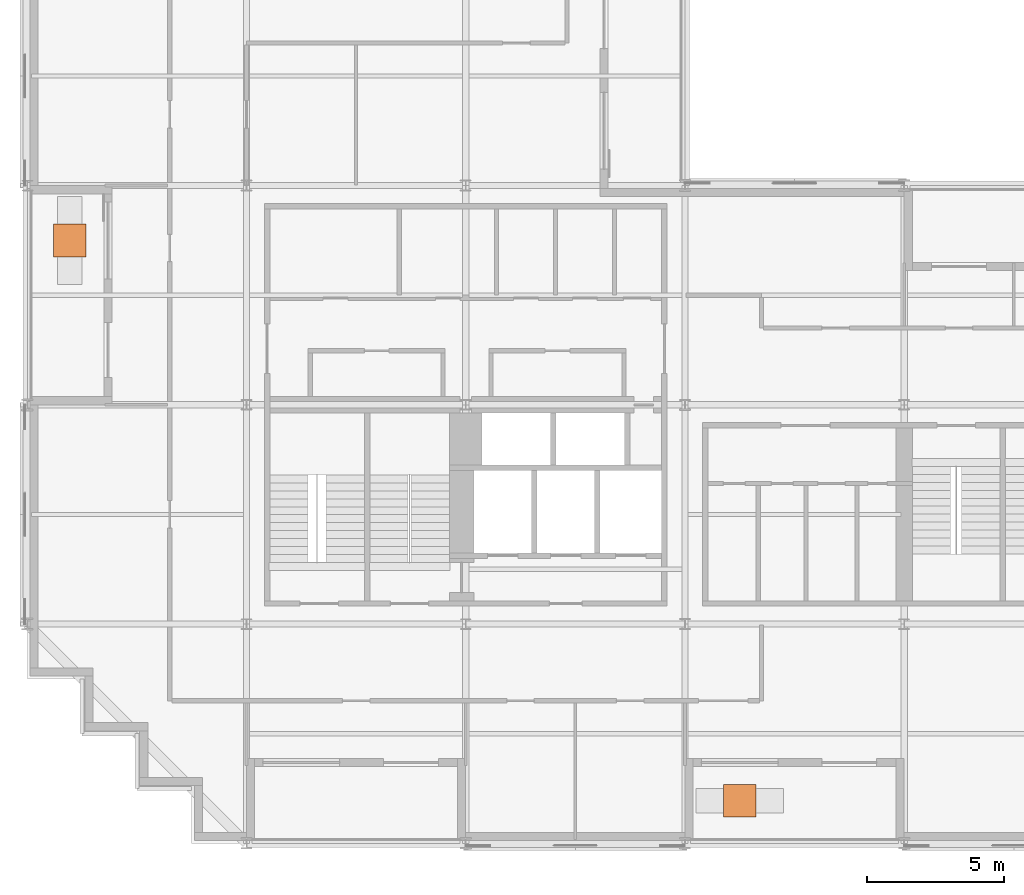
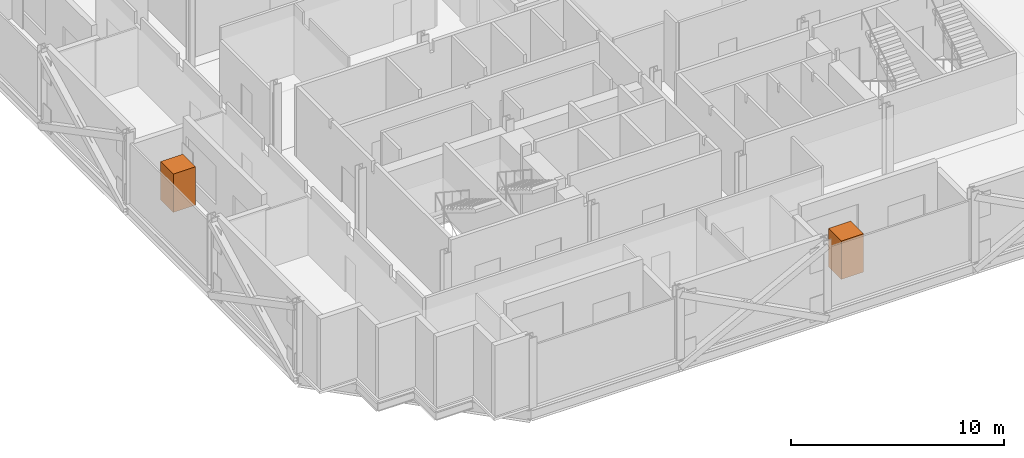
# One storey, part 11 of 11: 2 geographic elements.
"""IFC4 building model written with IfcOpenShell, lengths in metres."""

from ifc_helpers import new_model, si_unit, direction, frame, origin, origin_2d, place, context, subcontext, project, spatial, rectangle, extrude, material, type_object, element, save


model = new_model("IFC4")

# Units and contexts
model_context = context("Model", 3, precision=1e-05, world=origin(), true_north=direction((0.0, 1.0)))
body_context = subcontext(model_context, "Body", "Model", "MODEL_VIEW")
ifc_project = project(units=[si_unit("LENGTHUNIT", "METRE"), si_unit("AREAUNIT", "SQUARE_METRE"), si_unit("VOLUMEUNIT", "CUBIC_METRE"), si_unit("PLANEANGLEUNIT", "RADIAN"), si_unit("MASSUNIT", "GRAM", prefix="KILO")], contexts=[model_context])

# Site, building, storey
site_placement = place(None, origin())
site = spatial("IfcSite", under=ifc_project, at=site_placement, CompositionType="ELEMENT")
building_placement = place(site_placement, origin())
building = spatial("IfcBuilding", under=site, at=building_placement, Name="Immortelle Media Tower", CompositionType="ELEMENT")
storey_placement = place(building_placement, frame((0.0, 0.0, 157.800048828125)))
storey = spatial("IfcBuildingStorey", under=building, at=storey_placement, Name="L32", CompositionType="ELEMENT", Elevation=157.800048828125)

# Geographic elements
ifc_material = material(Name="Tree canopy foliage")
geographic_element_type = type_object("IfcGeographicElementType", Name="Tree", PredefinedType="USERDEFINED", material=ifc_material)
for number, where, z_axis, x_axis, name in (
    (1, (26.0, 1.550048828125, 0.60009765625), (0.0, 0.0, 1.0), (1.0, 0.0, 0.0), "Tree L32 S2"),
    (2, (1.550048828125, 22.0, 0.60009765625), (0.0, 0.0, 1.0), (1.0, 0.0, 0.0), "Tree L32 W2"),
):
    element("IfcGeographicElement", number, at=place(storey_placement, frame(where, z_axis=z_axis, x_axis=x_axis)), inside=storey, type_object=geographic_element_type, Name=name, ObjectType="Tree", PredefinedType="USERDEFINED", context=body_context, shape_type="SweptSolid", body=[
        extrude(rectangle(XDim=1.199951171875, YDim=1.199951171875, at=origin_2d()), origin(), (0.0, 0.0, 1.0), 2.199951171875),
    ])

save(model, "model.ifc")
